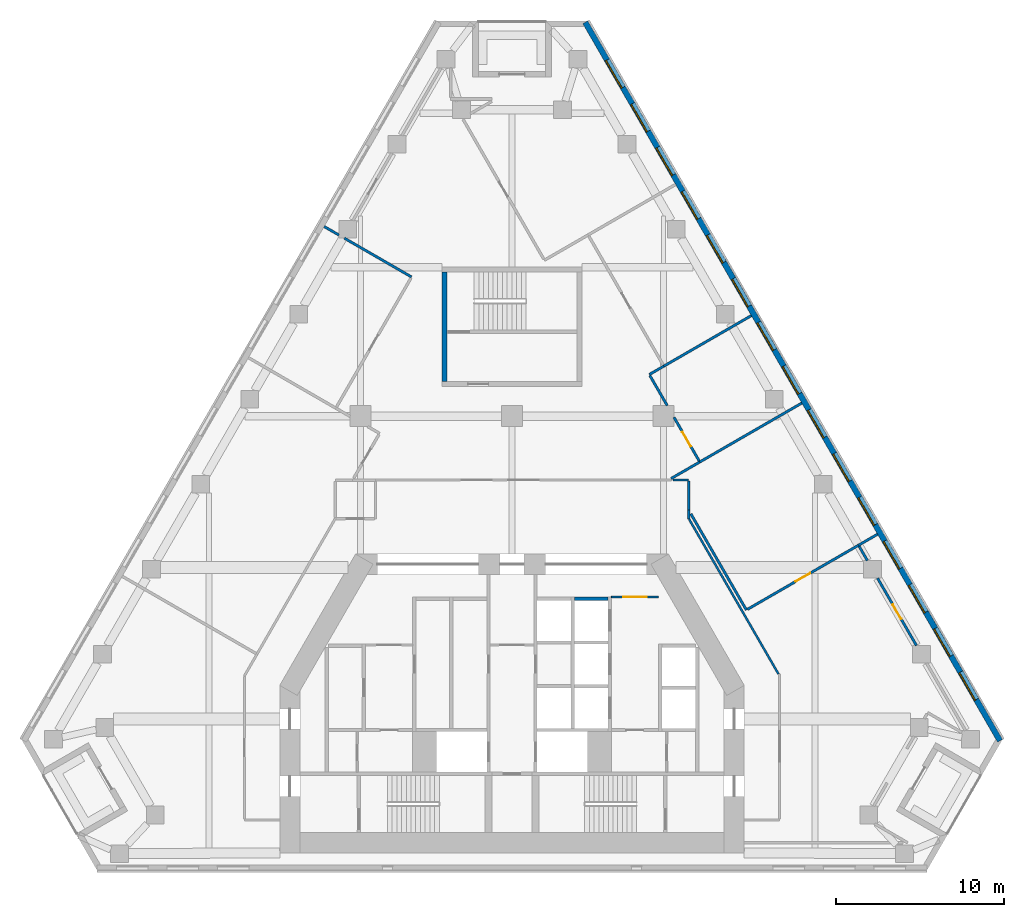
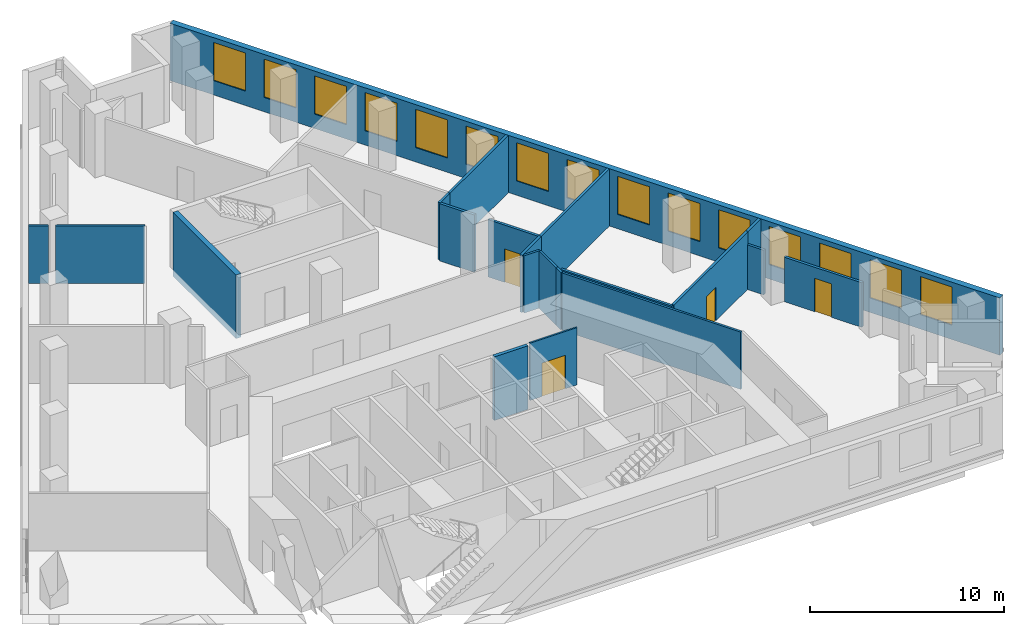
# One storey, part 7 of 9: 21 walls, 15 windows, 4 doors, 19 openings.
"""IFC4 building model written with IfcOpenShell, lengths in metres."""

from ifc_helpers import new_model, si_unit, direction, frame, frame_2d, origin, place, context, subcontext, project, spatial, rectangle, extrude, material, layer, layer_set, type_object, element, fill, save


model = new_model("IFC4")

# Units and contexts
model_context = context("Model", 3, precision=1e-05, world=origin(), true_north=direction((0.0, 1.0)))
body_context = subcontext(model_context, "Body", "Model", "MODEL_VIEW")
ifc_project = project(units=[si_unit("LENGTHUNIT", "METRE"), si_unit("AREAUNIT", "SQUARE_METRE"), si_unit("VOLUMEUNIT", "CUBIC_METRE"), si_unit("PLANEANGLEUNIT", "RADIAN"), si_unit("MASSUNIT", "GRAM", prefix="KILO")], contexts=[model_context])

# Site, building, storey
site_placement = place(None, origin())
site = spatial("IfcSite", under=ifc_project, at=site_placement, CompositionType="ELEMENT")
building_placement = place(site_placement, origin())
building = spatial("IfcBuilding", under=site, at=building_placement, Name="Fogline Exchange Tower", CompositionType="ELEMENT")
storey_placement = place(building_placement, frame((0.0, 0.0, 142.89990234375)))
storey = spatial("IfcBuildingStorey", under=building, at=storey_placement, Name="L31", CompositionType="ELEMENT", Elevation=142.89990234375)

# Wall, opening, door
ifc_material_1 = material(Name="Blockwork partition", Category="masonry")
ifc_layer_1 = layer(ifc_material_1, 0.10009765625)
ifc_layer_set_1 = layer_set([ifc_layer_1], Name="CW10")
wall_type_1 = type_object("IfcWallType", Name="CW10", PredefinedType="PARTITIONING", material=ifc_layer_set_1)
wall_1_placement = place(storey_placement, frame((5.89990234375, 16.25, 0.0), z_axis=(0.0, 0.0, 1.0), x_axis=(1.0, 0.0, 0.0)))
wall_1 = element("IfcWall", 1, at=wall_1_placement, inside=storey, type_object=wall_type_1, Name="Lift lobby partition", PredefinedType="PARTITIONING", context=body_context, shape_type="SweptSolid", body=[
    extrude(rectangle(XDim=2.800048828125, YDim=0.10009765625, at=frame_2d((1.39990234375, 0.0))), origin(), (0.0, 0.0, 1.0), 3.60009765625),
])
opening_1_placement = place(wall_1_placement, frame((0.699951171875, 0.0, 0.0)))
opening_1 = element("IfcOpeningElement", 2, at=opening_1_placement, cuts=wall_1, Name="Opening T10-C012", PredefinedType="OPENING", context=body_context, shape_type="SweptSolid", body=[
    extrude(rectangle(XDim=1.39990234375, YDim=2.10009765625, at=frame_2d((0.699951171875, 1.050048828125))), frame((0.0, 0.06005859375, 0.0), z_axis=(0.0, -1.0, 0.0), x_axis=(1.0, 0.0, 0.0)), (0.0, 0.0, 1.0), 0.1201171875),
])
ifc_material_2 = material(Name="Steel and timber fire door", Category="steel")
door_type_1 = type_object("IfcDoorType", Name="D-LB1", OperationType="DOUBLE_DOOR_SINGLE_SWING", PredefinedType="DOOR", material=ifc_material_2)
door_1_placement = place(opening_1_placement, origin())
door_1 = element("IfcDoor", 3, at=door_1_placement, inside=storey, type_object=door_type_1, Name="Door to lift lobby", OperationType="DOUBLE_DOOR_SINGLE_SWING", OverallHeight=2.10009765625, OverallWidth=1.39990234375, PredefinedType="DOOR", context=body_context, shape_type="SweptSolid", body=[
    extrude(rectangle(XDim=1.39990234375, YDim=2.10009765625, at=frame_2d((0.699951171875, 1.050048828125))), frame((0.0, 0.02490234375, 0.0), z_axis=(0.0, -1.0, 0.0), x_axis=(1.0, 0.0, 0.0)), (0.0, 0.0, 1.0), 0.050048828125),
])
fill(opening_1, door_1)

# Walls
ifc_material_3 = material(Name="Concrete C40", Category="concrete")
ifc_layer_2 = layer(ifc_material_3, 0.199951171875)
ifc_layer_set_2 = layer_set([ifc_layer_2], Name="CW20S")
wall_type_2 = type_object("IfcWallType", Name="CW20S", PredefinedType="SOLIDWALL", material=ifc_layer_set_2)
wall_2_placement = place(storey_placement, frame((3.699951171875, 16.14990234375, -0.39990234375), z_axis=(0.0, 0.0, 1.0), x_axis=(1.0, 0.0, 0.0)))
element("IfcWall", 4, at=wall_2_placement, inside=storey, type_object=wall_type_2, Name="Lift shaft wall", PredefinedType="SOLIDWALL", context=body_context, shape_type="SweptSolid", body=[
    extrude(rectangle(XDim=2.0, YDim=0.199951171875, at=frame_2d((1.0, 0.0))), origin(), (0.0, 0.0, 1.0), 4.0),
])
ifc_layer_3 = layer(ifc_material_3, 0.300048828125)
ifc_layer_set_3 = layer_set([ifc_layer_3], Name="CW30")
wall_type_3 = type_object("IfcWallType", Name="CW30", PredefinedType="SOLIDWALL", material=ifc_layer_set_3)
wall_3_placement = place(storey_placement, frame((-4.0, 29.056884765625, -0.39990234375), z_axis=(0.0, 0.0, 1.0), x_axis=(0.0, 1.0, 0.0)))
element("IfcWall", 5, at=wall_3_placement, inside=storey, type_object=wall_type_3, Name="Stair enclosure wall ST3", PredefinedType="SOLIDWALL", context=body_context, shape_type="SweptSolid", body=[
    extrude(rectangle(XDim=6.5, YDim=0.300048828125, at=frame_2d((3.25, 0.0))), origin(), (0.0, 0.0, 1.0), 4.0),
])

# Wall, openings, windows
ifc_material_4 = material(Name="Brick masonry", Category="masonry")
ifc_layer_4 = layer(ifc_material_4, 0.340087890625)
ifc_layer_set_4 = layer_set([ifc_layer_4], Name="FW1")
wall_type_4 = type_object("IfcWallType", Name="FW1", PredefinedType="SOLIDWALL", material=ifc_layer_set_4)
wall_4_placement = place(storey_placement, frame((29.001220703125, 7.709228515625, 0.0), z_axis=(0.0, 0.0, 1.0), x_axis=(-0.499999677325, 0.866025590081, 0.0)))
wall_4 = element("IfcWall", 6, at=wall_4_placement, inside=storey, type_object=wall_type_4, Name="Brick wall L31 E", PredefinedType="SOLIDWALL", context=body_context, shape_type="SweptSolid", body=[
    extrude(rectangle(XDim=49.296875, YDim=0.340087890625, at=frame_2d((24.6484375, 0.0))), origin(), (0.0, 0.0, 1.0), 3.60009765625),
])
opening_2_placement = place(wall_4_placement, frame((2.82421875, 0.0, 0.89990234375)))
opening_2 = element("IfcOpeningElement", 7, at=opening_2_placement, cuts=wall_4, Name="Opening W1", PredefinedType="OPENING", context=body_context, shape_type="SweptSolid", body=[
    extrude(rectangle(XDim=1.885009765625, YDim=2.39990234375, at=frame_2d((0.9423828125, 1.199951171875))), frame((0.0, 0.18017578125, 0.0), z_axis=(0.0, -1.0, 0.0), x_axis=(1.0, 0.0, 0.0)), (0.0, 0.0, 1.0), 0.360107421875),
])
opening_3_placement = place(wall_4_placement, frame((5.82421875, 0.0, 0.89990234375)))
opening_3 = element("IfcOpeningElement", 8, at=opening_3_placement, cuts=wall_4, Name="Opening W1", PredefinedType="OPENING", context=body_context, shape_type="SweptSolid", body=[
    extrude(rectangle(XDim=1.885009765625, YDim=2.39990234375, at=frame_2d((0.9423828125, 1.199951171875))), frame((0.0, 0.18017578125, 0.0), z_axis=(0.0, -1.0, 0.0), x_axis=(1.0, 0.0, 0.0)), (0.0, 0.0, 1.0), 0.360107421875),
])
opening_4_placement = place(wall_4_placement, frame((8.82421875, 0.0, 0.89990234375)))
opening_4 = element("IfcOpeningElement", 9, at=opening_4_placement, cuts=wall_4, Name="Opening W1", PredefinedType="OPENING", context=body_context, shape_type="SweptSolid", body=[
    extrude(rectangle(XDim=1.885009765625, YDim=2.39990234375, at=frame_2d((0.9423828125, 1.199951171875))), frame((0.0, 0.18017578125, 0.0), z_axis=(0.0, -1.0, 0.0), x_axis=(1.0, 0.0, 0.0)), (0.0, 0.0, 1.0), 0.360107421875),
])
opening_5_placement = place(wall_4_placement, frame((11.82421875, 0.0, 0.89990234375)))
opening_5 = element("IfcOpeningElement", 10, at=opening_5_placement, cuts=wall_4, Name="Opening W1", PredefinedType="OPENING", context=body_context, shape_type="SweptSolid", body=[
    extrude(rectangle(XDim=1.885009765625, YDim=2.39990234375, at=frame_2d((0.9423828125, 1.199951171875))), frame((0.0, 0.18017578125, 0.0), z_axis=(0.0, -1.0, 0.0), x_axis=(1.0, 0.0, 0.0)), (0.0, 0.0, 1.0), 0.360107421875),
])
opening_6_placement = place(wall_4_placement, frame((14.82421875, 0.0, 0.89990234375)))
opening_6 = element("IfcOpeningElement", 11, at=opening_6_placement, cuts=wall_4, Name="Opening W1", PredefinedType="OPENING", context=body_context, shape_type="SweptSolid", body=[
    extrude(rectangle(XDim=1.885009765625, YDim=2.39990234375, at=frame_2d((0.9423828125, 1.199951171875))), frame((0.0, 0.18017578125, 0.0), z_axis=(0.0, -1.0, 0.0), x_axis=(1.0, 0.0, 0.0)), (0.0, 0.0, 1.0), 0.360107421875),
])
opening_7_placement = place(wall_4_placement, frame((17.82421875, 0.0, 0.89990234375)))
opening_7 = element("IfcOpeningElement", 12, at=opening_7_placement, cuts=wall_4, Name="Opening W1", PredefinedType="OPENING", context=body_context, shape_type="SweptSolid", body=[
    extrude(rectangle(XDim=1.885009765625, YDim=2.39990234375, at=frame_2d((0.9423828125, 1.199951171875))), frame((0.0, 0.18017578125, 0.0), z_axis=(0.0, -1.0, 0.0), x_axis=(1.0, 0.0, 0.0)), (0.0, 0.0, 1.0), 0.360107421875),
])
opening_8_placement = place(wall_4_placement, frame((20.82421875, 0.0, 0.89990234375)))
opening_8 = element("IfcOpeningElement", 13, at=opening_8_placement, cuts=wall_4, Name="Opening W1", PredefinedType="OPENING", context=body_context, shape_type="SweptSolid", body=[
    extrude(rectangle(XDim=1.885009765625, YDim=2.39990234375, at=frame_2d((0.9423828125, 1.199951171875))), frame((0.0, 0.18017578125, 0.0), z_axis=(0.0, -1.0, 0.0), x_axis=(1.0, 0.0, 0.0)), (0.0, 0.0, 1.0), 0.360107421875),
])
opening_9_placement = place(wall_4_placement, frame((23.82421875, 0.0, 0.89990234375)))
opening_9 = element("IfcOpeningElement", 14, at=opening_9_placement, cuts=wall_4, Name="Opening W1", PredefinedType="OPENING", context=body_context, shape_type="SweptSolid", body=[
    extrude(rectangle(XDim=1.885009765625, YDim=2.39990234375, at=frame_2d((0.9423828125, 1.199951171875))), frame((0.0, 0.18017578125, 0.0), z_axis=(0.0, -1.0, 0.0), x_axis=(1.0, 0.0, 0.0)), (0.0, 0.0, 1.0), 0.360107421875),
])
opening_10_placement = place(wall_4_placement, frame((26.82421875, 0.0, 0.89990234375)))
opening_10 = element("IfcOpeningElement", 15, at=opening_10_placement, cuts=wall_4, Name="Opening W1", PredefinedType="OPENING", context=body_context, shape_type="SweptSolid", body=[
    extrude(rectangle(XDim=1.885009765625, YDim=2.39990234375, at=frame_2d((0.9423828125, 1.199951171875))), frame((0.0, 0.18017578125, 0.0), z_axis=(0.0, -1.0, 0.0), x_axis=(1.0, 0.0, 0.0)), (0.0, 0.0, 1.0), 0.360107421875),
])
opening_11_placement = place(wall_4_placement, frame((29.82421875, 0.0, 0.89990234375)))
opening_11 = element("IfcOpeningElement", 16, at=opening_11_placement, cuts=wall_4, Name="Opening W1", PredefinedType="OPENING", context=body_context, shape_type="SweptSolid", body=[
    extrude(rectangle(XDim=1.885009765625, YDim=2.39990234375, at=frame_2d((0.9423828125, 1.199951171875))), frame((0.0, 0.18017578125, 0.0), z_axis=(0.0, -1.0, 0.0), x_axis=(1.0, 0.0, 0.0)), (0.0, 0.0, 1.0), 0.360107421875),
])
opening_12_placement = place(wall_4_placement, frame((32.82421875, 0.0, 0.89990234375)))
opening_12 = element("IfcOpeningElement", 17, at=opening_12_placement, cuts=wall_4, Name="Opening W1", PredefinedType="OPENING", context=body_context, shape_type="SweptSolid", body=[
    extrude(rectangle(XDim=1.885009765625, YDim=2.39990234375, at=frame_2d((0.9423828125, 1.199951171875))), frame((0.0, 0.18017578125, 0.0), z_axis=(0.0, -1.0, 0.0), x_axis=(1.0, 0.0, 0.0)), (0.0, 0.0, 1.0), 0.360107421875),
])
opening_13_placement = place(wall_4_placement, frame((35.82421875, 0.0, 0.89990234375)))
opening_13 = element("IfcOpeningElement", 18, at=opening_13_placement, cuts=wall_4, Name="Opening W1", PredefinedType="OPENING", context=body_context, shape_type="SweptSolid", body=[
    extrude(rectangle(XDim=1.885009765625, YDim=2.39990234375, at=frame_2d((0.9423828125, 1.199951171875))), frame((0.0, 0.18017578125, 0.0), z_axis=(0.0, -1.0, 0.0), x_axis=(1.0, 0.0, 0.0)), (0.0, 0.0, 1.0), 0.360107421875),
])
opening_14_placement = place(wall_4_placement, frame((38.82421875, 0.0, 0.89990234375)))
opening_14 = element("IfcOpeningElement", 19, at=opening_14_placement, cuts=wall_4, Name="Opening W1", PredefinedType="OPENING", context=body_context, shape_type="SweptSolid", body=[
    extrude(rectangle(XDim=1.885009765625, YDim=2.39990234375, at=frame_2d((0.9423828125, 1.199951171875))), frame((0.0, 0.18017578125, 0.0), z_axis=(0.0, -1.0, 0.0), x_axis=(1.0, 0.0, 0.0)), (0.0, 0.0, 1.0), 0.360107421875),
])
opening_15_placement = place(wall_4_placement, frame((41.82421875, 0.0, 0.89990234375)))
opening_15 = element("IfcOpeningElement", 20, at=opening_15_placement, cuts=wall_4, Name="Opening W1", PredefinedType="OPENING", context=body_context, shape_type="SweptSolid", body=[
    extrude(rectangle(XDim=1.885009765625, YDim=2.39990234375, at=frame_2d((0.9423828125, 1.199951171875))), frame((0.0, 0.18017578125, 0.0), z_axis=(0.0, -1.0, 0.0), x_axis=(1.0, 0.0, 0.0)), (0.0, 0.0, 1.0), 0.360107421875),
])
opening_16_placement = place(wall_4_placement, frame((44.82421875, 0.0, 0.89990234375)))
opening_16 = element("IfcOpeningElement", 21, at=opening_16_placement, cuts=wall_4, Name="Opening W1", PredefinedType="OPENING", context=body_context, shape_type="SweptSolid", body=[
    extrude(rectangle(XDim=1.885009765625, YDim=2.39990234375, at=frame_2d((0.9423828125, 1.199951171875))), frame((0.0, 0.18017578125, 0.0), z_axis=(0.0, -1.0, 0.0), x_axis=(1.0, 0.0, 0.0)), (0.0, 0.0, 1.0), 0.360107421875),
])
ifc_material_5 = material(Name="Aluminium and glass", Category="aluminium")
window_type = type_object("IfcWindowType", Name="W1", PartitioningType="SINGLE_PANEL", PredefinedType="WINDOW", material=ifc_material_5)
window_1_placement = place(opening_2_placement, origin())
window_1 = element("IfcWindow", 22, at=window_1_placement, inside=storey, type_object=window_type, Name="W1 W1", OverallHeight=2.39990234375, OverallWidth=1.885009765625, PartitioningType="SINGLE_PANEL", PredefinedType="WINDOW", context=body_context, shape_type="SweptSolid", body=[
    extrude(rectangle(XDim=1.885009765625, YDim=2.39990234375, at=frame_2d((0.9423828125, 1.199951171875))), frame((0.0, 0.110107421875, 0.0), z_axis=(0.0, -1.0, 0.0), x_axis=(1.0, 0.0, 0.0)), (0.0, 0.0, 1.0), 0.06005859375),
])
fill(opening_2, window_1)
window_2_placement = place(opening_3_placement, origin())
window_2 = element("IfcWindow", 23, at=window_2_placement, inside=storey, type_object=window_type, Name="W1 W1", OverallHeight=2.39990234375, OverallWidth=1.885009765625, PartitioningType="SINGLE_PANEL", PredefinedType="WINDOW", context=body_context, shape_type="SweptSolid", body=[
    extrude(rectangle(XDim=1.885009765625, YDim=2.39990234375, at=frame_2d((0.9423828125, 1.199951171875))), frame((0.0, 0.110107421875, 0.0), z_axis=(0.0, -1.0, 0.0), x_axis=(1.0, 0.0, 0.0)), (0.0, 0.0, 1.0), 0.06005859375),
])
fill(opening_3, window_2)
window_3_placement = place(opening_4_placement, origin())
window_3 = element("IfcWindow", 24, at=window_3_placement, inside=storey, type_object=window_type, Name="W1 W1", OverallHeight=2.39990234375, OverallWidth=1.885009765625, PartitioningType="SINGLE_PANEL", PredefinedType="WINDOW", context=body_context, shape_type="SweptSolid", body=[
    extrude(rectangle(XDim=1.885009765625, YDim=2.39990234375, at=frame_2d((0.9423828125, 1.199951171875))), frame((0.0, 0.110107421875, 0.0), z_axis=(0.0, -1.0, 0.0), x_axis=(1.0, 0.0, 0.0)), (0.0, 0.0, 1.0), 0.06005859375),
])
fill(opening_4, window_3)
window_4_placement = place(opening_5_placement, origin())
window_4 = element("IfcWindow", 25, at=window_4_placement, inside=storey, type_object=window_type, Name="W1 W1", OverallHeight=2.39990234375, OverallWidth=1.885009765625, PartitioningType="SINGLE_PANEL", PredefinedType="WINDOW", context=body_context, shape_type="SweptSolid", body=[
    extrude(rectangle(XDim=1.885009765625, YDim=2.39990234375, at=frame_2d((0.9423828125, 1.199951171875))), frame((0.0, 0.110107421875, 0.0), z_axis=(0.0, -1.0, 0.0), x_axis=(1.0, 0.0, 0.0)), (0.0, 0.0, 1.0), 0.06005859375),
])
fill(opening_5, window_4)
window_5_placement = place(opening_6_placement, origin())
window_5 = element("IfcWindow", 26, at=window_5_placement, inside=storey, type_object=window_type, Name="W1 W1", OverallHeight=2.39990234375, OverallWidth=1.885009765625, PartitioningType="SINGLE_PANEL", PredefinedType="WINDOW", context=body_context, shape_type="SweptSolid", body=[
    extrude(rectangle(XDim=1.885009765625, YDim=2.39990234375, at=frame_2d((0.9423828125, 1.199951171875))), frame((0.0, 0.110107421875, 0.0), z_axis=(0.0, -1.0, 0.0), x_axis=(1.0, 0.0, 0.0)), (0.0, 0.0, 1.0), 0.06005859375),
])
fill(opening_6, window_5)
window_6_placement = place(opening_7_placement, origin())
window_6 = element("IfcWindow", 27, at=window_6_placement, inside=storey, type_object=window_type, Name="W1 W1", OverallHeight=2.39990234375, OverallWidth=1.885009765625, PartitioningType="SINGLE_PANEL", PredefinedType="WINDOW", context=body_context, shape_type="SweptSolid", body=[
    extrude(rectangle(XDim=1.885009765625, YDim=2.39990234375, at=frame_2d((0.9423828125, 1.199951171875))), frame((0.0, 0.110107421875, 0.0), z_axis=(0.0, -1.0, 0.0), x_axis=(1.0, 0.0, 0.0)), (0.0, 0.0, 1.0), 0.06005859375),
])
fill(opening_7, window_6)
window_7_placement = place(opening_8_placement, origin())
window_7 = element("IfcWindow", 28, at=window_7_placement, inside=storey, type_object=window_type, Name="W1 W1", OverallHeight=2.39990234375, OverallWidth=1.885009765625, PartitioningType="SINGLE_PANEL", PredefinedType="WINDOW", context=body_context, shape_type="SweptSolid", body=[
    extrude(rectangle(XDim=1.885009765625, YDim=2.39990234375, at=frame_2d((0.9423828125, 1.199951171875))), frame((0.0, 0.110107421875, 0.0), z_axis=(0.0, -1.0, 0.0), x_axis=(1.0, 0.0, 0.0)), (0.0, 0.0, 1.0), 0.06005859375),
])
fill(opening_8, window_7)
window_8_placement = place(opening_9_placement, origin())
window_8 = element("IfcWindow", 29, at=window_8_placement, inside=storey, type_object=window_type, Name="W1 W1", OverallHeight=2.39990234375, OverallWidth=1.885009765625, PartitioningType="SINGLE_PANEL", PredefinedType="WINDOW", context=body_context, shape_type="SweptSolid", body=[
    extrude(rectangle(XDim=1.885009765625, YDim=2.39990234375, at=frame_2d((0.9423828125, 1.199951171875))), frame((0.0, 0.110107421875, 0.0), z_axis=(0.0, -1.0, 0.0), x_axis=(1.0, 0.0, 0.0)), (0.0, 0.0, 1.0), 0.06005859375),
])
fill(opening_9, window_8)
window_9_placement = place(opening_10_placement, origin())
window_9 = element("IfcWindow", 30, at=window_9_placement, inside=storey, type_object=window_type, Name="W1 W1", OverallHeight=2.39990234375, OverallWidth=1.885009765625, PartitioningType="SINGLE_PANEL", PredefinedType="WINDOW", context=body_context, shape_type="SweptSolid", body=[
    extrude(rectangle(XDim=1.885009765625, YDim=2.39990234375, at=frame_2d((0.9423828125, 1.199951171875))), frame((0.0, 0.110107421875, 0.0), z_axis=(0.0, -1.0, 0.0), x_axis=(1.0, 0.0, 0.0)), (0.0, 0.0, 1.0), 0.06005859375),
])
fill(opening_10, window_9)
window_10_placement = place(opening_11_placement, origin())
window_10 = element("IfcWindow", 31, at=window_10_placement, inside=storey, type_object=window_type, Name="W1 W1", OverallHeight=2.39990234375, OverallWidth=1.885009765625, PartitioningType="SINGLE_PANEL", PredefinedType="WINDOW", context=body_context, shape_type="SweptSolid", body=[
    extrude(rectangle(XDim=1.885009765625, YDim=2.39990234375, at=frame_2d((0.9423828125, 1.199951171875))), frame((0.0, 0.110107421875, 0.0), z_axis=(0.0, -1.0, 0.0), x_axis=(1.0, 0.0, 0.0)), (0.0, 0.0, 1.0), 0.06005859375),
])
fill(opening_11, window_10)
window_11_placement = place(opening_12_placement, origin())
window_11 = element("IfcWindow", 32, at=window_11_placement, inside=storey, type_object=window_type, Name="W1 W1", OverallHeight=2.39990234375, OverallWidth=1.885009765625, PartitioningType="SINGLE_PANEL", PredefinedType="WINDOW", context=body_context, shape_type="SweptSolid", body=[
    extrude(rectangle(XDim=1.885009765625, YDim=2.39990234375, at=frame_2d((0.9423828125, 1.199951171875))), frame((0.0, 0.110107421875, 0.0), z_axis=(0.0, -1.0, 0.0), x_axis=(1.0, 0.0, 0.0)), (0.0, 0.0, 1.0), 0.06005859375),
])
fill(opening_12, window_11)
window_12_placement = place(opening_13_placement, origin())
window_12 = element("IfcWindow", 33, at=window_12_placement, inside=storey, type_object=window_type, Name="W1 W1", OverallHeight=2.39990234375, OverallWidth=1.885009765625, PartitioningType="SINGLE_PANEL", PredefinedType="WINDOW", context=body_context, shape_type="SweptSolid", body=[
    extrude(rectangle(XDim=1.885009765625, YDim=2.39990234375, at=frame_2d((0.9423828125, 1.199951171875))), frame((0.0, 0.110107421875, 0.0), z_axis=(0.0, -1.0, 0.0), x_axis=(1.0, 0.0, 0.0)), (0.0, 0.0, 1.0), 0.06005859375),
])
fill(opening_13, window_12)
window_13_placement = place(opening_14_placement, origin())
window_13 = element("IfcWindow", 34, at=window_13_placement, inside=storey, type_object=window_type, Name="W1 W1", OverallHeight=2.39990234375, OverallWidth=1.885009765625, PartitioningType="SINGLE_PANEL", PredefinedType="WINDOW", context=body_context, shape_type="SweptSolid", body=[
    extrude(rectangle(XDim=1.885009765625, YDim=2.39990234375, at=frame_2d((0.9423828125, 1.199951171875))), frame((0.0, 0.110107421875, 0.0), z_axis=(0.0, -1.0, 0.0), x_axis=(1.0, 0.0, 0.0)), (0.0, 0.0, 1.0), 0.06005859375),
])
fill(opening_14, window_13)
window_14_placement = place(opening_15_placement, origin())
window_14 = element("IfcWindow", 35, at=window_14_placement, inside=storey, type_object=window_type, Name="W1 W1", OverallHeight=2.39990234375, OverallWidth=1.885009765625, PartitioningType="SINGLE_PANEL", PredefinedType="WINDOW", context=body_context, shape_type="SweptSolid", body=[
    extrude(rectangle(XDim=1.885009765625, YDim=2.39990234375, at=frame_2d((0.9423828125, 1.199951171875))), frame((0.0, 0.110107421875, 0.0), z_axis=(0.0, -1.0, 0.0), x_axis=(1.0, 0.0, 0.0)), (0.0, 0.0, 1.0), 0.06005859375),
])
fill(opening_15, window_14)
window_15_placement = place(opening_16_placement, origin())
window_15 = element("IfcWindow", 36, at=window_15_placement, inside=storey, type_object=window_type, Name="W1 W1", OverallHeight=2.39990234375, OverallWidth=1.885009765625, PartitioningType="SINGLE_PANEL", PredefinedType="WINDOW", context=body_context, shape_type="SweptSolid", body=[
    extrude(rectangle(XDim=1.885009765625, YDim=2.39990234375, at=frame_2d((0.9423828125, 1.199951171875))), frame((0.0, 0.110107421875, 0.0), z_axis=(0.0, -1.0, 0.0), x_axis=(1.0, 0.0, 0.0)), (0.0, 0.0, 1.0), 0.06005859375),
])
fill(opening_16, window_15)

# Walls
ifc_material_6 = material(Name="Plasterboard corridor partition with mineral wool, 2 layers each side")
ifc_layer_5 = layer(ifc_material_6, 0.125)
ifc_layer_set_5 = layer_set([ifc_layer_5], Name="PW2")
wall_type_5 = type_object("IfcWallType", Name="PW2", PredefinedType="PARTITIONING", material=ifc_layer_set_5)
wall_5_placement = place(storey_placement, frame((10.522216796875, 20.876220703125, 0.0), z_axis=(0.0, 0.0, 1.0), x_axis=(0.499994810213, -0.866028400089, 0.0)))
element("IfcWall", 37, at=wall_5_placement, inside=storey, type_object=wall_type_5, Name="wall-L31-W001", PredefinedType="PARTITIONING", context=body_context, shape_type="SweptSolid", body=[
    extrude(rectangle(XDim=10.63037109375, YDim=0.125, at=frame_2d((5.315185546875, 0.0))), origin(), (0.0, 0.0, 1.0), 3.60009765625),
])
wall_6_placement = place(storey_placement, frame((9.557373046875, 23.199951171875, 0.0), z_axis=(0.0, 0.0, 1.0), x_axis=(1.0, 0.0, 0.0)))
element("IfcWall", 38, at=wall_6_placement, inside=storey, type_object=wall_type_5, Name="wall-L31-W004", PredefinedType="PARTITIONING", context=body_context, shape_type="SweptSolid", body=[
    extrude(rectangle(XDim=0.942626953125, YDim=0.125, at=frame_2d((0.47119140625, 0.0))), origin(), (0.0, 0.0, 1.0), 3.60009765625),
])
wall_7_placement = place(storey_placement, frame((10.5, 23.137451171875, 0.0), z_axis=(0.0, 0.0, 1.0), x_axis=(0.0, -1.0, 0.0)))
element("IfcWall", 39, at=wall_7_placement, inside=storey, type_object=wall_type_5, Name="wall-L31-W005", PredefinedType="PARTITIONING", context=body_context, shape_type="SweptSolid", body=[
    extrude(rectangle(XDim=1.72314453125, YDim=0.125, at=frame_2d((0.861572265625, 0.0))), origin(), (0.0, 0.0, 1.0), 3.60009765625),
])
wall_8_placement = place(storey_placement, frame((10.5, 21.414306640625, 0.0), z_axis=(0.0, 0.0, 1.0), x_axis=(0.0, -1.0, 0.0)))
element("IfcWall", 40, at=wall_8_placement, inside=storey, type_object=wall_type_5, Name="wall-L31-W009", PredefinedType="PARTITIONING", context=body_context, shape_type="SweptSolid", body=[
    extrude(rectangle(XDim=0.514404296875, YDim=0.125, at=frame_2d((0.25732421875, 0.0))), origin(), (0.0, 0.0, 1.0), 3.60009765625),
])
ifc_material_7 = material(Name="Plasterboard demising partition with mineral wool and acoustic board")
ifc_layer_6 = layer(ifc_material_7, 0.14990234375)
ifc_layer_set_6 = layer_set([ifc_layer_6], Name="PW3")
wall_type_6 = type_object("IfcWallType", Name="PW3", PredefinedType="PARTITIONING", material=ifc_layer_set_6)
wall_9_placement = place(storey_placement, frame((11.158447265625, 24.273681640625, 0.0), z_axis=(0.0, 0.0, 1.0), x_axis=(0.866028190633, 0.499995173006, 0.0)))
element("IfcWall", 41, at=wall_9_placement, inside=storey, type_object=wall_type_6, Name="wall-L31-W014", PredefinedType="PARTITIONING", context=body_context, shape_type="SweptSolid", body=[
    extrude(rectangle(XDim=7.0, YDim=0.14990234375, at=frame_2d((3.5, 0.0))), origin(), (0.0, 0.0, 1.0), 3.60009765625),
])
wall_10_placement = place(storey_placement, frame((9.453857421875, 23.289794921875, 0.0), z_axis=(0.0, 0.0, 1.0), x_axis=(0.866082311439, 0.499901420094, 0.0)))
element("IfcWall", 42, at=wall_10_placement, inside=storey, type_object=wall_type_6, Name="wall-L31-W015", PredefinedType="PARTITIONING", context=body_context, shape_type="SweptSolid", body=[
    extrude(rectangle(XDim=1.96826171875, YDim=0.14990234375, at=frame_2d((0.984130859375, 0.0))), origin(), (0.0, 0.0, 1.0), 3.60009765625),
])
wall_11_placement = place(storey_placement, frame((21.720703125, 19.9794921875, 0.0), z_axis=(0.0, 0.0, 1.0), x_axis=(-0.86607031481, -0.499922203753, 0.0)))
element("IfcWall", 43, at=wall_11_placement, inside=storey, type_object=wall_type_6, Name="wall-L31-W016", PredefinedType="PARTITIONING", context=body_context, shape_type="SweptSolid", body=[
    extrude(rectangle(XDim=1.304931640625, YDim=0.14990234375, at=frame_2d((0.65234375, 0.0))), origin(), (0.0, 0.0, 1.0), 3.60009765625),
])

# Wall, opening, door
wall_12_placement = place(storey_placement, frame((20.590576171875, 19.3271484375, 0.0), z_axis=(0.0, 0.0, 1.0), x_axis=(-0.866022320763, -0.500005339912, 0.0)))
wall_12 = element("IfcWall", 44, at=wall_12_placement, inside=storey, type_object=wall_type_6, Name="wall-L31-W017", PredefinedType="PARTITIONING", context=body_context, shape_type="SweptSolid", body=[
    extrude(rectangle(XDim=7.6201171875, YDim=0.14990234375, at=frame_2d((3.81005859375, 0.0))), origin(), (0.0, 0.0, 1.0), 3.60009765625),
])
opening_17_placement = place(wall_12_placement, frame((3.31005859375, 0.0, 0.0)))
opening_17 = element("IfcOpeningElement", 45, at=opening_17_placement, cuts=wall_12, Name="Opening T10-D006", PredefinedType="OPENING", context=body_context, shape_type="SweptSolid", body=[
    extrude(rectangle(XDim=1.0, YDim=2.10009765625, at=frame_2d((0.5, 1.050048828125))), frame((0.0, 0.0849609375, 0.0), z_axis=(0.0, -1.0, 0.0), x_axis=(1.0, 0.0, 0.0)), (0.0, 0.0, 1.0), 0.169921875),
])
ifc_material_8 = material(Name="Fire-rated timber door leaf with steel frame", Category="steel")
door_type_2 = type_object("IfcDoorType", Name="D3", OperationType="SINGLE_SWING_LEFT", PredefinedType="DOOR", material=ifc_material_8)
door_2_placement = place(opening_17_placement, frame((1.0, 0.0, 0.0), z_axis=(0.0, 0.0, 1.0), x_axis=(-1.0, 0.0, 0.0)))
door_2 = element("IfcDoor", 46, at=door_2_placement, inside=storey, type_object=door_type_2, Name="door-L31-D006", OperationType="SINGLE_SWING_RIGHT", OverallHeight=2.10009765625, OverallWidth=1.0, PredefinedType="DOOR", context=body_context, shape_type="SweptSolid", body=[
    extrude(rectangle(XDim=1.0, YDim=2.10009765625, at=frame_2d((0.5, 1.050048828125))), frame((0.0, 0.02490234375, 0.0), z_axis=(0.0, -1.0, 0.0), x_axis=(1.0, 0.0, 0.0)), (0.0, 0.0, 1.0), 0.050048828125),
])
fill(opening_17, door_2)

# Walls
wall_13_placement = place(storey_placement, frame((13.926513671875, 15.4794921875, 0.0), z_axis=(0.0, 0.0, 1.0), x_axis=(-0.500007539231, 0.866021050964, 0.0)))
element("IfcWall", 47, at=wall_13_placement, inside=storey, type_object=wall_type_6, Name="wall-L31-W018", PredefinedType="PARTITIONING", context=body_context, shape_type="SweptSolid", body=[
    extrude(rectangle(XDim=6.59765625, YDim=0.14990234375, at=frame_2d((3.298828125, 0.0))), origin(), (0.0, 0.0, 1.0), 3.60009765625),
])
wall_14_placement = place(storey_placement, frame((9.0244140625, 29.969970703125, 0.0), z_axis=(0.0, 0.0, 1.0), x_axis=(0.866031096941, 0.499990139034, 0.0)))
element("IfcWall", 48, at=wall_14_placement, inside=storey, type_object=wall_type_6, Name="wall-L31-W019", PredefinedType="PARTITIONING", context=body_context, shape_type="SweptSolid", body=[
    extrude(rectangle(XDim=6.0, YDim=0.14990234375, at=frame_2d((3.0, 0.0))), origin(), (0.0, 0.0, 1.0), 3.60009765625),
])

# Wall, opening, door
wall_15_placement = place(storey_placement, frame((11.12109375, 24.3388671875, 0.0), z_axis=(0.0, 0.0, 1.0), x_axis=(-0.500035592419, 0.866004853516, 0.0)))
wall_15 = element("IfcWall", 49, at=wall_15_placement, inside=storey, type_object=wall_type_6, Name="wall-L31-W020", PredefinedType="PARTITIONING", context=body_context, shape_type="SweptSolid", body=[
    extrude(rectangle(XDim=2.991943359375, YDim=0.14990234375, at=frame_2d((1.49609375, 0.0))), origin(), (0.0, 0.0, 1.0), 3.60009765625),
])
opening_18_placement = place(wall_15_placement, frame((0.99609375, 0.0, 0.0)))
opening_18 = element("IfcOpeningElement", 50, at=opening_18_placement, cuts=wall_15, Name="Opening T10-D007", PredefinedType="OPENING", context=body_context, shape_type="SweptSolid", body=[
    extrude(rectangle(XDim=1.0, YDim=2.10009765625, at=frame_2d((0.5, 1.050048828125))), frame((0.0, 0.0849609375, 0.0), z_axis=(0.0, -1.0, 0.0), x_axis=(1.0, 0.0, 0.0)), (0.0, 0.0, 1.0), 0.169921875),
])
door_3_placement = place(opening_18_placement, frame((1.0, 0.0, 0.0), z_axis=(0.0, 0.0, 1.0), x_axis=(-1.0, 0.0, 0.0)))
door_3 = element("IfcDoor", 51, at=door_3_placement, inside=storey, type_object=door_type_2, Name="door-L31-D007", OperationType="SINGLE_SWING_RIGHT", OverallHeight=2.10009765625, OverallWidth=1.0, PredefinedType="DOOR", context=body_context, shape_type="SweptSolid", body=[
    extrude(rectangle(XDim=1.0, YDim=2.10009765625, at=frame_2d((0.5, 1.050048828125))), frame((0.0, 0.02490234375, 0.0), z_axis=(0.0, -1.0, 0.0), x_axis=(1.0, 0.0, 0.0)), (0.0, 0.0, 1.0), 0.050048828125),
])
fill(opening_18, door_3)

# Walls
wall_16_placement = place(storey_placement, frame((9.2236328125, 27.625, 0.0), z_axis=(0.0, 0.0, 1.0), x_axis=(-0.499958946799, 0.866049104564, 0.0)))
element("IfcWall", 52, at=wall_16_placement, inside=storey, type_object=wall_type_6, Name="wall-L31-W021", PredefinedType="PARTITIONING", context=body_context, shape_type="SweptSolid", body=[
    extrude(rectangle(XDim=2.055419921875, YDim=0.14990234375, at=frame_2d((1.02783203125, 0.0))), origin(), (0.0, 0.0, 1.0), 3.60009765625),
])
wall_17_placement = place(storey_placement, frame((8.158447265625, 29.469970703125, 0.0), z_axis=(0.0, 0.0, 1.0), x_axis=(0.866010750942, 0.50002537861, 0.0)))
element("IfcWall", 53, at=wall_17_placement, inside=storey, type_object=wall_type_6, Name="wall-L31-W022", PredefinedType="PARTITIONING", context=body_context, shape_type="SweptSolid", body=[
    extrude(rectangle(XDim=1.0, YDim=0.14990234375, at=frame_2d((0.5, 0.0))), origin(), (0.0, 0.0, 1.0), 3.60009765625),
])
wall_18_placement = place(storey_placement, frame((-5.967041015625, 35.265625, 0.0), z_axis=(0.0, 0.0, 1.0), x_axis=(-0.866015398818, 0.500017328709, 0.0)))
element("IfcWall", 54, at=wall_18_placement, inside=storey, type_object=wall_type_6, Name="wall-L31-W033", PredefinedType="PARTITIONING", context=body_context, shape_type="SweptSolid", body=[
    extrude(rectangle(XDim=4.610595703125, YDim=0.14990234375, at=frame_2d((2.30517578125, 0.0))), origin(), (0.0, 0.0, 1.0), 3.60009765625),
])
wall_19_placement = place(storey_placement, frame((-10.279296875, 37.75537109375, 0.0), z_axis=(0.0, 0.0, 1.0), x_axis=(-0.866026229868, 0.499998569178, 0.0)))
element("IfcWall", 55, at=wall_19_placement, inside=storey, type_object=wall_type_6, Name="wall-L31-W038", PredefinedType="PARTITIONING", context=body_context, shape_type="SweptSolid", body=[
    extrude(rectangle(XDim=1.0205078125, YDim=0.14990234375, at=frame_2d((0.51025390625, 0.0))), origin(), (0.0, 0.0, 1.0), 3.60009765625),
])

# Wall, opening, door
wall_20_placement = place(storey_placement, frame((24.030029296875, 13.369384765625, 0.0), z_axis=(0.0, 0.0, 1.0), x_axis=(-0.499981705991, 0.866035965578, 0.0)))
wall_20 = element("IfcWall", 56, at=wall_20_placement, inside=storey, type_object=wall_type_6, Name="wall-L31-W050", PredefinedType="PARTITIONING", context=body_context, shape_type="SweptSolid", body=[
    extrude(rectangle(XDim=4.619384765625, YDim=0.14990234375, at=frame_2d((2.3095703125, 0.0))), origin(), (0.0, 0.0, 1.0), 2.800048828125),
])
opening_19_placement = place(wall_20_placement, frame((1.8095703125, 0.0, 0.0)))
opening_19 = element("IfcOpeningElement", 57, at=opening_19_placement, cuts=wall_20, Name="Opening T10-D013", PredefinedType="OPENING", context=body_context, shape_type="SweptSolid", body=[
    extrude(rectangle(XDim=1.0, YDim=2.10009765625, at=frame_2d((0.5, 1.050048828125))), frame((0.0, 0.0849609375, 0.0), z_axis=(0.0, -1.0, 0.0), x_axis=(1.0, 0.0, 0.0)), (0.0, 0.0, 1.0), 0.169921875),
])
door_4_placement = place(opening_19_placement, frame((1.0, 0.0, 0.0), z_axis=(0.0, 0.0, 1.0), x_axis=(-1.0, 0.0, 0.0)))
door_4 = element("IfcDoor", 58, at=door_4_placement, inside=storey, type_object=door_type_2, Name="door-L31-D013", OperationType="SINGLE_SWING_LEFT", OverallHeight=2.10009765625, OverallWidth=1.0, PredefinedType="DOOR", context=body_context, shape_type="SweptSolid", body=[
    extrude(rectangle(XDim=1.0, YDim=2.10009765625, at=frame_2d((0.5, 1.050048828125))), frame((0.0, 0.02490234375, 0.0), z_axis=(0.0, -1.0, 0.0), x_axis=(1.0, 0.0, 0.0)), (0.0, 0.0, 1.0), 0.050048828125),
])
fill(opening_19, door_4)

# Wall
wall_21_placement = place(storey_placement, frame((21.1142578125, 18.419921875, 0.0), z_axis=(0.0, 0.0, 1.0), x_axis=(-0.500026652407, 0.866010015463, 0.0)))
element("IfcWall", 59, at=wall_21_placement, inside=storey, type_object=wall_type_6, Name="wall-L31-W051", PredefinedType="PARTITIONING", context=body_context, shape_type="SweptSolid", body=[
    extrude(rectangle(XDim=0.97265625, YDim=0.14990234375, at=frame_2d((0.486328125, 0.0))), origin(), (0.0, 0.0, 1.0), 2.800048828125),
])

save(model, "model.ifc")
